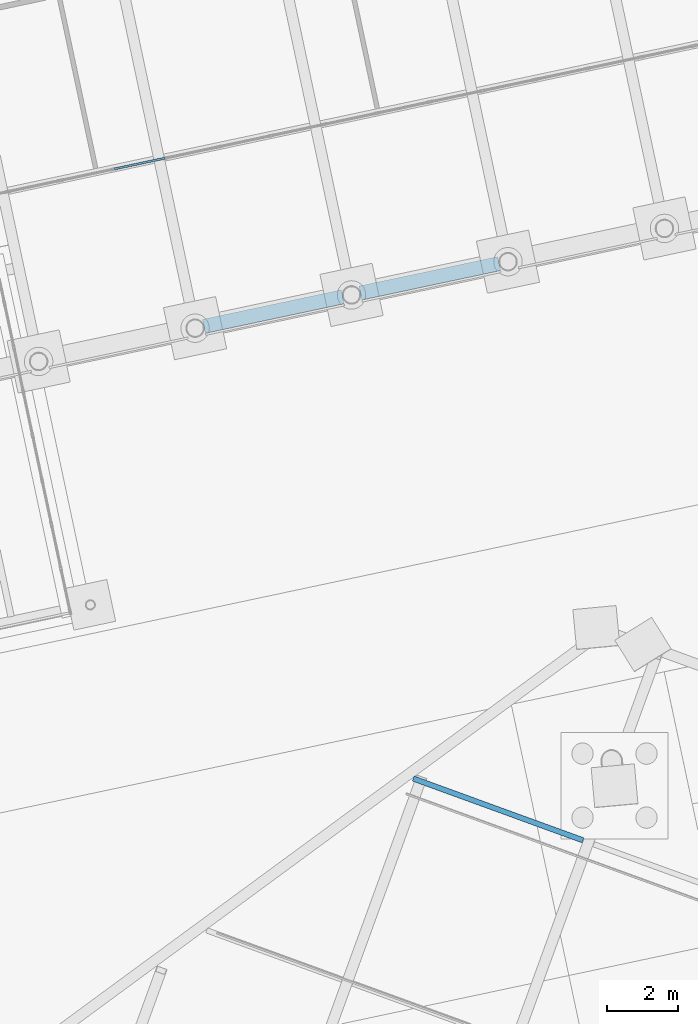
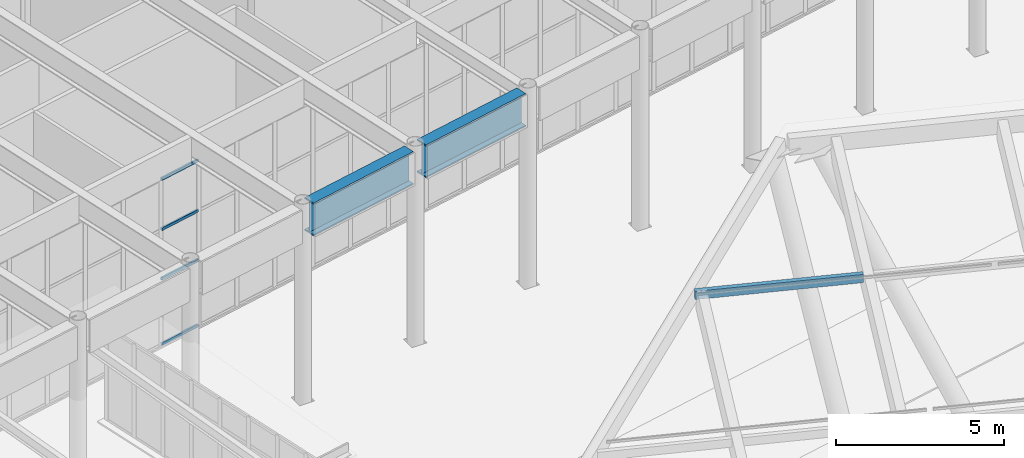
# One storey, part 90 of 239: 4 members, 3 beams, 1 element without a shape of its own.
"""IFC4 building model written with IfcOpenShell, lengths in metres."""

from ifc_helpers import new_model, si_unit, direction, frame, origin, origin_2d, place, context, subcontext, project, spatial, hollow_rectangle, i_section, extrude, material, material_profile, profile_set, type_object, element, aggregate, save


model = new_model("IFC4")

# Units and contexts
model_context = context("Model", 3, precision=1e-05, world=origin(), true_north=direction((0.0, 1.0)))
body_context = subcontext(model_context, "Body", "Model", "MODEL_VIEW")
ifc_project = project(units=[si_unit("LENGTHUNIT", "METRE"), si_unit("AREAUNIT", "SQUARE_METRE"), si_unit("VOLUMEUNIT", "CUBIC_METRE"), si_unit("PLANEANGLEUNIT", "RADIAN"), si_unit("MASSUNIT", "GRAM", prefix="KILO")], contexts=[model_context])

# Site, building, storey
site_placement = place(None, origin())
site = spatial("IfcSite", under=ifc_project, at=site_placement, CompositionType="ELEMENT")
building_placement = place(site_placement, origin())
building = spatial("IfcBuilding", under=site, at=building_placement, Name="Okhra Congress Centre", CompositionType="ELEMENT")
storey_placement = place(building_placement, origin())
storey = spatial("IfcBuildingStorey", under=building, at=storey_placement, Name="L00", CompositionType="ELEMENT", Elevation=0.0)

# Beam
ifc_material_1 = material(Name="Steel S355J2H", Category="steel")
ifc_material_profile_1 = material_profile(ifc_material_1, hollow_rectangle(XDim=0.14990234375, YDim=0.300048828125, WallThickness=0.008056640625, at=origin_2d()), Name="RHS 300x150x8")
ifc_profile_set_1 = profile_set([ifc_material_profile_1], Name="Steel S355J2H")
beam_type_1 = type_object("IfcBeamType", Name="Canopy secondary beam RHS 300x150x8", PredefinedType="BEAM", material=ifc_profile_set_1)
beam_placement = place(storey_placement, frame((168.38671875, 35.657958984375, 9.294921875), z_axis=(0.939705054146, -0.341985981018, 0.0), x_axis=(0.341985981018, 0.939705054146, 0.0)))
element("IfcBeam", 1, at=beam_placement, inside=storey, type_object=beam_type_1, Name="Entrance canopy secondary beam 22", PredefinedType="BEAM", context=body_context, shape_type="SweptSolid", body=[
    extrude(hollow_rectangle(XDim=0.14990234375, YDim=0.300048828125, WallThickness=0.008056640625, at=origin_2d()), origin(), (0.0, 0.0, 1.0), 5.08349609375),
])

# Curtain wall, members
ifc_material_2 = material(Name="Aluminium curtain wall, triple glazing", Category="aluminium")
curtain_wall_type = type_object("IfcCurtainWallType", Name="Curtain wall 1500 module", PredefinedType="NOTDEFINED", material=ifc_material_2)
curtain_wall_placement = place(storey_placement, origin())
curtain_wall = element("IfcCurtainWall", 2, at=curtain_wall_placement, inside=storey, type_object=curtain_wall_type, Name="Ground curtain wall S4", PredefinedType="NOTDEFINED")
ifc_material_3 = material(Name="Aluminium alloy EN AW-6063 T66", Category="aluminium")
ifc_material_profile_2 = material_profile(ifc_material_3, hollow_rectangle(XDim=0.06005859375, YDim=0.10009765625, WallThickness=0.00390625, at=origin_2d()), Name="RHS 60x100x4")
ifc_profile_set_2 = profile_set([ifc_material_profile_2], Name="Aluminium alloy EN AW-6063 T66")
member_type = type_object("IfcMemberType", Name="Curtain wall transom 60x100", PredefinedType="USERDEFINED", material=ifc_profile_set_2)
member_1_placement = place(storey_placement, frame((159.974365234375, 52.80810546875, 0.030029296875), z_axis=(0.978144370647, 0.2079268866, 0.0), x_axis=(-0.2079268866, 0.978144370647, 0.0)))
member_1 = element("IfcMember", 3, at=member_1_placement, type_object=member_type, Name="CW7 transom 9.1", ObjectType="TRANSOM", PredefinedType="USERDEFINED", context=body_context, shape_type="SweptSolid", body=[
    extrude(hollow_rectangle(XDim=0.06005859375, YDim=0.10009765625, WallThickness=0.00390625, at=origin_2d()), origin(), (0.0, 0.0, 1.0), 1.45703125),
])
member_2_placement = place(storey_placement, frame((159.974365234375, 52.80810546875, 2.39990234375), z_axis=(0.978144370647, 0.2079268866, 0.0), x_axis=(-0.2079268866, 0.978144370647, 0.0)))
member_2 = element("IfcMember", 4, at=member_2_placement, type_object=member_type, Name="CW7 transom 9.2", ObjectType="TRANSOM", PredefinedType="USERDEFINED", context=body_context, shape_type="SweptSolid", body=[
    extrude(hollow_rectangle(XDim=0.06005859375, YDim=0.10009765625, WallThickness=0.00390625, at=origin_2d()), origin(), (0.0, 0.0, 1.0), 1.45703125),
])
member_3_placement = place(storey_placement, frame((159.974365234375, 52.80810546875, 4.199951171875), z_axis=(0.978144370647, 0.2079268866, 0.0), x_axis=(-0.2079268866, 0.978144370647, 0.0)))
member_3 = element("IfcMember", 5, at=member_3_placement, type_object=member_type, Name="CW7 transom 9.3", ObjectType="TRANSOM", PredefinedType="USERDEFINED", context=body_context, shape_type="SweptSolid", body=[
    extrude(hollow_rectangle(XDim=0.06005859375, YDim=0.10009765625, WallThickness=0.00390625, at=origin_2d()), origin(), (0.0, 0.0, 1.0), 1.45703125),
])
member_4_placement = place(storey_placement, frame((159.974365234375, 52.80810546875, 6.02001953125), z_axis=(0.978144370647, 0.2079268866, 0.0), x_axis=(-0.2079268866, 0.978144370647, 0.0)))
member_4 = element("IfcMember", 6, at=member_4_placement, type_object=member_type, Name="CW7 transom 9.4", ObjectType="TRANSOM", PredefinedType="USERDEFINED", context=body_context, shape_type="SweptSolid", body=[
    extrude(hollow_rectangle(XDim=0.06005859375, YDim=0.10009765625, WallThickness=0.00390625, at=origin_2d()), origin(), (0.0, 0.0, 1.0), 1.45703125),
])
aggregate(curtain_wall, [member_1, member_2, member_3, member_4])

# Beams
ifc_material_4 = material(Name="Steel S355J2", Category="steel")
ifc_material_profile_3 = material_profile(ifc_material_4, i_section(OverallWidth=0.39990234375, OverallDepth=1.199951171875, WebThickness=0.02490234375, FlangeThickness=0.050048828125, at=origin_2d()), Name="Plate girder 1200x400")
ifc_profile_set_3 = profile_set([ifc_material_profile_3], Name="Steel S355J2")
beam_type_2 = type_object("IfcBeamType", Name="Perimeter plate girder 1200x400", PredefinedType="BEAM", material=ifc_profile_set_3)
for number, where, z_axis, x_axis, name in (
    (7, (162.497802734375, 48.380859375, 6.449951171875), (0.978142994281, 0.207933361295, 0.0), (-0.207933361295, 0.978142994281, 0.0), "Perimeter girder S21"),
    (8, (166.8994140625, 49.31640625, 6.449951171875), (0.978142994281, 0.207933361295, 0.0), (-0.207933361295, 0.978142994281, 0.0), "Perimeter girder S22"),
):
    element("IfcBeam", number, at=place(storey_placement, frame(where, z_axis=z_axis, x_axis=x_axis)), inside=storey, type_object=beam_type_2, Name=name, PredefinedType="BEAM", context=body_context, shape_type="SweptSolid", body=[
        extrude(i_section(OverallWidth=0.39990234375, OverallDepth=1.199951171875, WebThickness=0.02490234375, FlangeThickness=0.050048828125, at=origin_2d()), origin(), (0.0, 0.0, 1.0), 3.991943359375),
    ])

save(model, "model.ifc")
